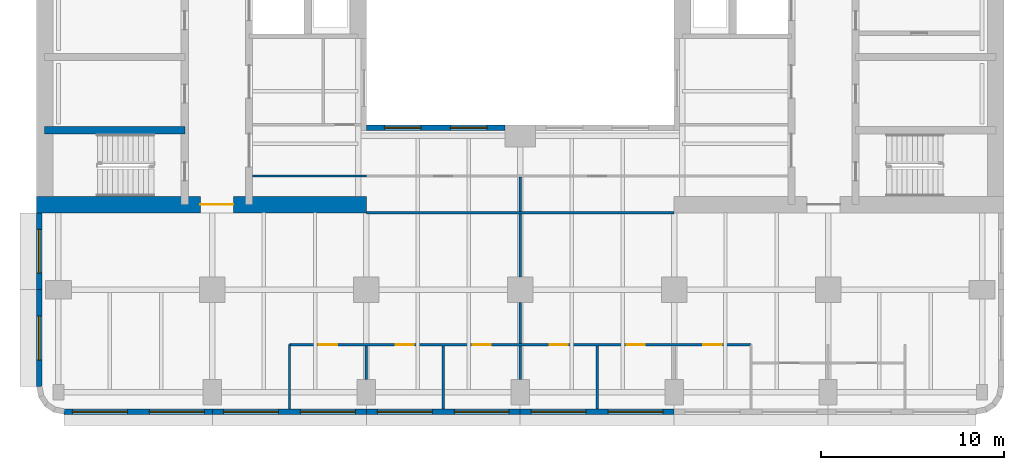
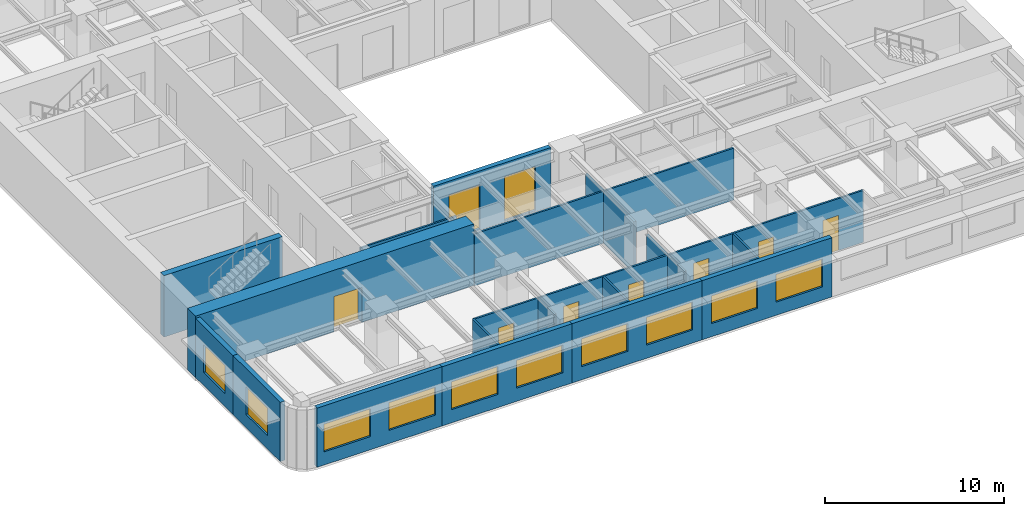
# One storey, part 3 of 11: 20 walls, 12 windows, 7 doors, 19 openings.
"""IFC4 building model written with IfcOpenShell, lengths in metres."""

from ifc_helpers import new_model, si_unit, direction, frame, frame_2d, origin, place, context, subcontext, project, spatial, rectangle, extrude, material, layer, layer_set, type_object, element, fill, save


model = new_model("IFC4")

# Units and contexts
model_context = context("Model", 3, precision=1e-05, world=origin(), true_north=direction((0.0, 1.0)))
body_context = subcontext(model_context, "Body", "Model", "MODEL_VIEW")
ifc_project = project(units=[si_unit("LENGTHUNIT", "METRE"), si_unit("AREAUNIT", "SQUARE_METRE"), si_unit("VOLUMEUNIT", "CUBIC_METRE"), si_unit("PLANEANGLEUNIT", "RADIAN"), si_unit("MASSUNIT", "GRAM", prefix="KILO")], contexts=[model_context])

# Site, building, storey
site_placement = place(None, origin())
site = spatial("IfcSite", under=ifc_project, at=site_placement, CompositionType="ELEMENT")
building_placement = place(site_placement, origin())
building = spatial("IfcBuilding", under=site, at=building_placement, Name="Claustro Exchange Tower", CompositionType="ELEMENT")
storey_placement = place(building_placement, frame((0.0, 0.0, 134.39990234375)))
storey = spatial("IfcBuildingStorey", under=building, at=storey_placement, Name="L30", CompositionType="ELEMENT", Elevation=134.39990234375)

# Wall, openings, doors
ifc_material_1 = material(Name="Laminated glass in aluminium frame", Category="aluminium")
ifc_layer_1 = layer(ifc_material_1, 0.1201171875)
ifc_layer_set_1 = layer_set([ifc_layer_1], Name="Laminated glass in aluminium frame")
wall_type_1 = type_object("IfcWallType", Name="P2 120 glazed partition", PredefinedType="PARTITIONING", material=ifc_layer_set_1)
wall_1_placement = place(storey_placement, frame((12.60009765625, 5.39990234375, 0.0), z_axis=(0.0, 0.0, 1.0), x_axis=(1.0, 0.0, 0.0)))
wall_1 = element("IfcWall", 1, at=wall_1_placement, inside=storey, type_object=wall_type_1, Name="Partition P2 L30", PredefinedType="PARTITIONING", context=body_context, shape_type="SweptSolid", body=[
    extrude(rectangle(XDim=25.199951171875, YDim=0.1201171875, at=frame_2d((12.60009765625, 0.0))), origin(), (0.0, 0.0, 1.0), 3.550048828125),
])
opening_1_placement = place(wall_1_placement, frame((1.60009765625, 0.0, 0.0)))
opening_1 = element("IfcOpeningElement", 2, at=opening_1_placement, cuts=wall_1, Name="Opening D7", PredefinedType="OPENING", context=body_context, shape_type="SweptSolid", body=[
    extrude(rectangle(XDim=1.0, YDim=2.39990234375, at=frame_2d((0.5, 1.199951171875))), frame((0.0, 0.070068359375, 0.0), z_axis=(0.0, -1.0, 0.0), x_axis=(1.0, 0.0, 0.0)), (0.0, 0.0, 1.0), 0.14013671875),
])
opening_2_placement = place(wall_1_placement, frame((5.800048828125, 0.0, 0.0)))
opening_2 = element("IfcOpeningElement", 3, at=opening_2_placement, cuts=wall_1, Name="Opening D7", PredefinedType="OPENING", context=body_context, shape_type="SweptSolid", body=[
    extrude(rectangle(XDim=1.0, YDim=2.39990234375, at=frame_2d((0.5, 1.199951171875))), frame((0.0, 0.070068359375, 0.0), z_axis=(0.0, -1.0, 0.0), x_axis=(1.0, 0.0, 0.0)), (0.0, 0.0, 1.0), 0.14013671875),
])
opening_3_placement = place(wall_1_placement, frame((10.0, 0.0, 0.0)))
opening_3 = element("IfcOpeningElement", 4, at=opening_3_placement, cuts=wall_1, Name="Opening D7", PredefinedType="OPENING", context=body_context, shape_type="SweptSolid", body=[
    extrude(rectangle(XDim=1.0, YDim=2.39990234375, at=frame_2d((0.5, 1.199951171875))), frame((0.0, 0.070068359375, 0.0), z_axis=(0.0, -1.0, 0.0), x_axis=(1.0, 0.0, 0.0)), (0.0, 0.0, 1.0), 0.14013671875),
])
opening_4_placement = place(wall_1_placement, frame((14.199951171875, 0.0, 0.0)))
opening_4 = element("IfcOpeningElement", 5, at=opening_4_placement, cuts=wall_1, Name="Opening D7", PredefinedType="OPENING", context=body_context, shape_type="SweptSolid", body=[
    extrude(rectangle(XDim=1.0, YDim=2.39990234375, at=frame_2d((0.5, 1.199951171875))), frame((0.0, 0.070068359375, 0.0), z_axis=(0.0, -1.0, 0.0), x_axis=(1.0, 0.0, 0.0)), (0.0, 0.0, 1.0), 0.14013671875),
])
opening_5_placement = place(wall_1_placement, frame((18.39990234375, 0.0, 0.0)))
opening_5 = element("IfcOpeningElement", 6, at=opening_5_placement, cuts=wall_1, Name="Opening D7", PredefinedType="OPENING", context=body_context, shape_type="SweptSolid", body=[
    extrude(rectangle(XDim=1.0, YDim=2.39990234375, at=frame_2d((0.5, 1.199951171875))), frame((0.0, 0.070068359375, 0.0), z_axis=(0.0, -1.0, 0.0), x_axis=(1.0, 0.0, 0.0)), (0.0, 0.0, 1.0), 0.14013671875),
])
opening_6_placement = place(wall_1_placement, frame((22.60009765625, 0.0, 0.0)))
opening_6 = element("IfcOpeningElement", 7, at=opening_6_placement, cuts=wall_1, Name="Opening D7", PredefinedType="OPENING", context=body_context, shape_type="SweptSolid", body=[
    extrude(rectangle(XDim=1.0, YDim=2.39990234375, at=frame_2d((0.5, 1.199951171875))), frame((0.0, 0.070068359375, 0.0), z_axis=(0.0, -1.0, 0.0), x_axis=(1.0, 0.0, 0.0)), (0.0, 0.0, 1.0), 0.14013671875),
])
ifc_material_2 = material(Name="Glass door in aluminium frame", Category="aluminium")
door_type_1 = type_object("IfcDoorType", Name="D7 1000 x 2400 glazed door", OperationType="SINGLE_SWING_LEFT", PredefinedType="DOOR", material=ifc_material_2)
door_1_placement = place(opening_1_placement, frame((1.0, 0.0, 0.0), z_axis=(0.0, 0.0, 1.0), x_axis=(-1.0, 0.0, 0.0)))
door_1 = element("IfcDoor", 8, at=door_1_placement, inside=storey, type_object=door_type_1, Name="Door D7 L30", OperationType="SINGLE_SWING_RIGHT", OverallHeight=2.39990234375, OverallWidth=1.0, PredefinedType="DOOR", context=body_context, shape_type="SweptSolid", body=[
    extrude(rectangle(XDim=1.0, YDim=2.39990234375, at=frame_2d((0.5, 1.199951171875))), frame((0.0, 0.02490234375, 0.0), z_axis=(0.0, -1.0, 0.0), x_axis=(1.0, 0.0, 0.0)), (0.0, 0.0, 1.0), 0.050048828125),
])
fill(opening_1, door_1)
door_2_placement = place(opening_2_placement, frame((1.0, 0.0, 0.0), z_axis=(0.0, 0.0, 1.0), x_axis=(-1.0, 0.0, 0.0)))
door_2 = element("IfcDoor", 9, at=door_2_placement, inside=storey, type_object=door_type_1, Name="Door D7 L30", OperationType="SINGLE_SWING_RIGHT", OverallHeight=2.39990234375, OverallWidth=1.0, PredefinedType="DOOR", context=body_context, shape_type="SweptSolid", body=[
    extrude(rectangle(XDim=1.0, YDim=2.39990234375, at=frame_2d((0.5, 1.199951171875))), frame((0.0, 0.02490234375, 0.0), z_axis=(0.0, -1.0, 0.0), x_axis=(1.0, 0.0, 0.0)), (0.0, 0.0, 1.0), 0.050048828125),
])
fill(opening_2, door_2)
door_3_placement = place(opening_3_placement, frame((1.0, 0.0, 0.0), z_axis=(0.0, 0.0, 1.0), x_axis=(-1.0, 0.0, 0.0)))
door_3 = element("IfcDoor", 10, at=door_3_placement, inside=storey, type_object=door_type_1, Name="Door D7 L30", OperationType="SINGLE_SWING_RIGHT", OverallHeight=2.39990234375, OverallWidth=1.0, PredefinedType="DOOR", context=body_context, shape_type="SweptSolid", body=[
    extrude(rectangle(XDim=1.0, YDim=2.39990234375, at=frame_2d((0.5, 1.199951171875))), frame((0.0, 0.02490234375, 0.0), z_axis=(0.0, -1.0, 0.0), x_axis=(1.0, 0.0, 0.0)), (0.0, 0.0, 1.0), 0.050048828125),
])
fill(opening_3, door_3)
door_4_placement = place(opening_4_placement, frame((1.0, 0.0, 0.0), z_axis=(0.0, 0.0, 1.0), x_axis=(-1.0, 0.0, 0.0)))
door_4 = element("IfcDoor", 11, at=door_4_placement, inside=storey, type_object=door_type_1, Name="Door D7 L30", OperationType="SINGLE_SWING_LEFT", OverallHeight=2.39990234375, OverallWidth=1.0, PredefinedType="DOOR", context=body_context, shape_type="SweptSolid", body=[
    extrude(rectangle(XDim=1.0, YDim=2.39990234375, at=frame_2d((0.5, 1.199951171875))), frame((0.0, 0.02490234375, 0.0), z_axis=(0.0, -1.0, 0.0), x_axis=(1.0, 0.0, 0.0)), (0.0, 0.0, 1.0), 0.050048828125),
])
fill(opening_4, door_4)
door_5_placement = place(opening_5_placement, frame((1.0, 0.0, 0.0), z_axis=(0.0, 0.0, 1.0), x_axis=(-1.0, 0.0, 0.0)))
door_5 = element("IfcDoor", 12, at=door_5_placement, inside=storey, type_object=door_type_1, Name="Door D7 L30", OperationType="SINGLE_SWING_RIGHT", OverallHeight=2.39990234375, OverallWidth=1.0, PredefinedType="DOOR", context=body_context, shape_type="SweptSolid", body=[
    extrude(rectangle(XDim=1.0, YDim=2.39990234375, at=frame_2d((0.5, 1.199951171875))), frame((0.0, 0.02490234375, 0.0), z_axis=(0.0, -1.0, 0.0), x_axis=(1.0, 0.0, 0.0)), (0.0, 0.0, 1.0), 0.050048828125),
])
fill(opening_5, door_5)
door_6_placement = place(opening_6_placement, frame((1.0, 0.0, 0.0), z_axis=(0.0, 0.0, 1.0), x_axis=(-1.0, 0.0, 0.0)))
door_6 = element("IfcDoor", 13, at=door_6_placement, inside=storey, type_object=door_type_1, Name="Door D7 L30", OperationType="SINGLE_SWING_LEFT", OverallHeight=2.39990234375, OverallWidth=1.0, PredefinedType="DOOR", context=body_context, shape_type="SweptSolid", body=[
    extrude(rectangle(XDim=1.0, YDim=2.39990234375, at=frame_2d((0.5, 1.199951171875))), frame((0.0, 0.02490234375, 0.0), z_axis=(0.0, -1.0, 0.0), x_axis=(1.0, 0.0, 0.0)), (0.0, 0.0, 1.0), 0.050048828125),
])
fill(opening_6, door_6)

# Walls
wall_2_placement = place(storey_placement, frame((12.60009765625, 1.89794921875, 0.0), z_axis=(0.0, 0.0, 1.0), x_axis=(0.0, 1.0, 0.0)))
element("IfcWall", 14, at=wall_2_placement, inside=storey, type_object=wall_type_1, Name="Partition P2 L30", PredefinedType="PARTITIONING", context=body_context, shape_type="SweptSolid", body=[
    extrude(rectangle(XDim=3.501953125, YDim=0.1201171875, at=frame_2d((1.7509765625, 0.0))), origin(), (0.0, 0.0, 1.0), 3.56005859375),
])
wall_3_placement = place(storey_placement, frame((16.800048828125, 3.4990234375, 0.0), z_axis=(0.0, 0.0, 1.0), x_axis=(0.0, 1.0, 0.0)))
element("IfcWall", 15, at=wall_3_placement, inside=storey, type_object=wall_type_1, Name="Partition P2 L30", PredefinedType="PARTITIONING", context=body_context, shape_type="SweptSolid", body=[
    extrude(rectangle(XDim=1.843017578125, YDim=0.1201171875, at=frame_2d((0.92138671875, 0.0))), origin(), (0.0, 0.0, 1.0), 3.550048828125),
])
wall_4_placement = place(storey_placement, frame((21.0, 1.89794921875, 0.0), z_axis=(0.0, 0.0, 1.0), x_axis=(0.0, 1.0, 0.0)))
element("IfcWall", 16, at=wall_4_placement, inside=storey, type_object=wall_type_1, Name="Partition P2 L30", PredefinedType="PARTITIONING", context=body_context, shape_type="SweptSolid", body=[
    extrude(rectangle(XDim=3.444091796875, YDim=0.1201171875, at=frame_2d((1.72216796875, 0.0))), origin(), (0.0, 0.0, 1.0), 3.56005859375),
])
wall_5_placement = place(storey_placement, frame((25.199951171875, 3.4990234375, 0.0), z_axis=(0.0, 0.0, 1.0), x_axis=(0.0, 1.0, 0.0)))
element("IfcWall", 17, at=wall_5_placement, inside=storey, type_object=wall_type_1, Name="Partition P2 L30", PredefinedType="PARTITIONING", context=body_context, shape_type="SweptSolid", body=[
    extrude(rectangle(XDim=1.843017578125, YDim=0.1201171875, at=frame_2d((0.92138671875, 0.0))), origin(), (0.0, 0.0, 1.0), 3.550048828125),
])
wall_6_placement = place(storey_placement, frame((29.39990234375, 1.89794921875, 0.0), z_axis=(0.0, 0.0, 1.0), x_axis=(0.0, 1.0, 0.0)))
element("IfcWall", 18, at=wall_6_placement, inside=storey, type_object=wall_type_1, Name="Partition P2 L30", PredefinedType="PARTITIONING", context=body_context, shape_type="SweptSolid", body=[
    extrude(rectangle(XDim=3.444091796875, YDim=0.1201171875, at=frame_2d((1.72216796875, 0.0))), origin(), (0.0, 0.0, 1.0), 3.56005859375),
])
wall_7_placement = place(storey_placement, frame((25.199951171875, 5.4580078125, 0.0), z_axis=(0.0, 0.0, 1.0), x_axis=(0.0, 1.0, 0.0)))
element("IfcWall", 19, at=wall_7_placement, inside=storey, type_object=wall_type_1, Name="Partition P2 L30", PredefinedType="PARTITIONING", context=body_context, shape_type="SweptSolid", body=[
    extrude(rectangle(XDim=2.242919921875, YDim=0.1201171875, at=frame_2d((1.12158203125, 0.0))), origin(), (0.0, 0.0, 1.0), 3.550048828125),
])
wall_8_placement = place(storey_placement, frame((25.199951171875, 9.09912109375, 0.0), z_axis=(0.0, 0.0, 1.0), x_axis=(0.0, 1.0, 0.0)))
element("IfcWall", 20, at=wall_8_placement, inside=storey, type_object=wall_type_1, Name="Partition P2 L30", PredefinedType="PARTITIONING", context=body_context, shape_type="SweptSolid", body=[
    extrude(rectangle(XDim=3.44287109375, YDim=0.1201171875, at=frame_2d((1.721435546875, 0.0))), origin(), (0.0, 0.0, 1.0), 3.550048828125),
])
wall_9_placement = place(storey_placement, frame((10.597900390625, 14.60009765625, 0.0), z_axis=(0.0, 0.0, 1.0), x_axis=(1.0, 0.0, 0.0)))
element("IfcWall", 21, at=wall_9_placement, inside=storey, type_object=wall_type_1, Name="Partition P2 L30", PredefinedType="PARTITIONING", context=body_context, shape_type="SweptSolid", body=[
    extrude(rectangle(XDim=6.2041015625, YDim=0.1201171875, at=frame_2d((3.10205078125, 0.0))), origin(), (0.0, 0.0, 1.0), 3.550048828125),
])
wall_10_placement = place(storey_placement, frame((25.199951171875, 12.657958984375, 0.0), z_axis=(0.0, 0.0, 1.0), x_axis=(0.0, 1.0, 0.0)))
element("IfcWall", 22, at=wall_10_placement, inside=storey, type_object=wall_type_1, Name="Partition P2 L30", PredefinedType="PARTITIONING", context=body_context, shape_type="SweptSolid", body=[
    extrude(rectangle(XDim=1.884033203125, YDim=0.1201171875, at=frame_2d((0.94189453125, 0.0))), origin(), (0.0, 0.0, 1.0), 3.550048828125),
])
wall_11_placement = place(storey_placement, frame((16.800048828125, 12.60009765625, 0.0), z_axis=(0.0, 0.0, 1.0), x_axis=(1.0, 0.0, 0.0)))
element("IfcWall", 23, at=wall_11_placement, inside=storey, type_object=wall_type_1, Name="Partition P2 L30", PredefinedType="PARTITIONING", context=body_context, shape_type="SweptSolid", body=[
    extrude(rectangle(XDim=16.800048828125, YDim=0.1201171875, at=frame_2d((8.39990234375, 0.0))), origin(), (0.0, 0.0, 1.0), 3.550048828125),
])

# Wall, openings, windows
ifc_material_3 = material(Name="Concrete HA-40 (C40/50), precast, white cement, acid-etched", Category="concrete")
ifc_layer_2 = layer(ifc_material_3, 0.300048828125)
ifc_layer_set_2 = layer_set([ifc_layer_2], Name="Concrete HA-40 (C40/50), precast, white cement, acid-etched")
wall_type_2 = type_object("IfcWallType", Name="PC1 300 precast concrete pier panel", PredefinedType="SOLIDWALL", material=ifc_layer_set_2)
wall_12_placement = place(storey_placement, frame((33.60009765625, 1.75, 0.0), z_axis=(0.0, 0.0, 1.0), x_axis=(-1.0, 0.0, 0.0)))
wall_12 = element("IfcWall", 24, at=wall_12_placement, inside=storey, type_object=wall_type_2, Name="Precast pier panel PC1 L30", PredefinedType="SOLIDWALL", context=body_context, shape_type="SweptSolid", body=[
    extrude(rectangle(XDim=8.400146484375, YDim=0.300048828125, at=frame_2d((4.2001953125, 0.0))), origin(), (0.0, 0.0, 1.0), 4.050048828125),
])
opening_7_placement = place(wall_12_placement, frame((0.60009765625, 0.0, 0.89990234375)))
opening_7 = element("IfcOpeningElement", 25, at=opening_7_placement, cuts=wall_12, Name="Opening W1", PredefinedType="OPENING", context=body_context, shape_type="SweptSolid", body=[
    extrude(rectangle(XDim=3.0, YDim=1.89990234375, at=frame_2d((1.5, 0.949951171875))), frame((0.0, 0.159912109375, 0.0), z_axis=(0.0, -1.0, 0.0), x_axis=(1.0, 0.0, 0.0)), (0.0, 0.0, 1.0), 0.320068359375),
])
opening_8_placement = place(wall_12_placement, frame((4.800048828125, 0.0, 0.89990234375)))
opening_8 = element("IfcOpeningElement", 26, at=opening_8_placement, cuts=wall_12, Name="Opening W1", PredefinedType="OPENING", context=body_context, shape_type="SweptSolid", body=[
    extrude(rectangle(XDim=3.0, YDim=1.89990234375, at=frame_2d((1.5, 0.949951171875))), frame((0.0, 0.159912109375, 0.0), z_axis=(0.0, -1.0, 0.0), x_axis=(1.0, 0.0, 0.0)), (0.0, 0.0, 1.0), 0.320068359375),
])
ifc_material_4 = material(Name="Aluminium frame, clear double glazing", Category="aluminium")
window_type_1 = type_object("IfcWindowType", Name="W1 3000 x 1900 window", PartitioningType="SINGLE_PANEL", PredefinedType="WINDOW", material=ifc_material_4)
window_1_placement = place(opening_7_placement, origin())
window_1 = element("IfcWindow", 27, at=window_1_placement, inside=storey, type_object=window_type_1, Name="Window W1 L30", OverallHeight=1.89990234375, OverallWidth=3.0, PartitioningType="SINGLE_PANEL", PredefinedType="WINDOW", context=body_context, shape_type="SweptSolid", body=[
    extrude(rectangle(XDim=3.0, YDim=1.89990234375, at=frame_2d((1.5, 0.949951171875))), frame((0.0, 0.030029296875, 0.0), z_axis=(0.0, -1.0, 0.0), x_axis=(1.0, 0.0, 0.0)), (0.0, 0.0, 1.0), 0.06005859375),
])
fill(opening_7, window_1)
window_2_placement = place(opening_8_placement, origin())
window_2 = element("IfcWindow", 28, at=window_2_placement, inside=storey, type_object=window_type_1, Name="Window W1 L30", OverallHeight=1.89990234375, OverallWidth=3.0, PartitioningType="SINGLE_PANEL", PredefinedType="WINDOW", context=body_context, shape_type="SweptSolid", body=[
    extrude(rectangle(XDim=3.0, YDim=1.89990234375, at=frame_2d((1.5, 0.949951171875))), frame((0.0, 0.030029296875, 0.0), z_axis=(0.0, -1.0, 0.0), x_axis=(1.0, 0.0, 0.0)), (0.0, 0.0, 1.0), 0.06005859375),
])
fill(opening_8, window_2)

wall_13_placement = place(storey_placement, frame((25.199951171875, 1.75, 0.0), z_axis=(0.0, 0.0, 1.0), x_axis=(-1.0, 0.0, 0.0)))
wall_13 = element("IfcWall", 29, at=wall_13_placement, inside=storey, type_object=wall_type_2, Name="Precast pier panel PC1 L30", PredefinedType="SOLIDWALL", context=body_context, shape_type="SweptSolid", body=[
    extrude(rectangle(XDim=8.39990234375, YDim=0.300048828125, at=frame_2d((4.199951171875, 0.0))), origin(), (0.0, 0.0, 1.0), 4.050048828125),
])
opening_9_placement = place(wall_13_placement, frame((0.60009765625, 0.0, 0.89990234375)))
opening_9 = element("IfcOpeningElement", 30, at=opening_9_placement, cuts=wall_13, Name="Opening W1", PredefinedType="OPENING", context=body_context, shape_type="SweptSolid", body=[
    extrude(rectangle(XDim=3.0, YDim=1.89990234375, at=frame_2d((1.5, 0.949951171875))), frame((0.0, 0.159912109375, 0.0), z_axis=(0.0, -1.0, 0.0), x_axis=(1.0, 0.0, 0.0)), (0.0, 0.0, 1.0), 0.320068359375),
])
opening_10_placement = place(wall_13_placement, frame((4.800048828125, 0.0, 0.89990234375)))
opening_10 = element("IfcOpeningElement", 31, at=opening_10_placement, cuts=wall_13, Name="Opening W1", PredefinedType="OPENING", context=body_context, shape_type="SweptSolid", body=[
    extrude(rectangle(XDim=3.0, YDim=1.89990234375, at=frame_2d((1.5, 0.949951171875))), frame((0.0, 0.159912109375, 0.0), z_axis=(0.0, -1.0, 0.0), x_axis=(1.0, 0.0, 0.0)), (0.0, 0.0, 1.0), 0.320068359375),
])
window_3_placement = place(opening_9_placement, origin())
window_3 = element("IfcWindow", 32, at=window_3_placement, inside=storey, type_object=window_type_1, Name="Window W1 L30", OverallHeight=1.89990234375, OverallWidth=3.0, PartitioningType="SINGLE_PANEL", PredefinedType="WINDOW", context=body_context, shape_type="SweptSolid", body=[
    extrude(rectangle(XDim=3.0, YDim=1.89990234375, at=frame_2d((1.5, 0.949951171875))), frame((0.0, 0.030029296875, 0.0), z_axis=(0.0, -1.0, 0.0), x_axis=(1.0, 0.0, 0.0)), (0.0, 0.0, 1.0), 0.06005859375),
])
fill(opening_9, window_3)
window_4_placement = place(opening_10_placement, origin())
window_4 = element("IfcWindow", 33, at=window_4_placement, inside=storey, type_object=window_type_1, Name="Window W1 L30", OverallHeight=1.89990234375, OverallWidth=3.0, PartitioningType="SINGLE_PANEL", PredefinedType="WINDOW", context=body_context, shape_type="SweptSolid", body=[
    extrude(rectangle(XDim=3.0, YDim=1.89990234375, at=frame_2d((1.5, 0.949951171875))), frame((0.0, 0.030029296875, 0.0), z_axis=(0.0, -1.0, 0.0), x_axis=(1.0, 0.0, 0.0)), (0.0, 0.0, 1.0), 0.06005859375),
])
fill(opening_10, window_4)

wall_14_placement = place(storey_placement, frame((16.800048828125, 1.75, 0.0), z_axis=(0.0, 0.0, 1.0), x_axis=(-1.0, 0.0, 0.0)))
wall_14 = element("IfcWall", 34, at=wall_14_placement, inside=storey, type_object=wall_type_2, Name="Precast pier panel PC1 L30", PredefinedType="SOLIDWALL", context=body_context, shape_type="SweptSolid", body=[
    extrude(rectangle(XDim=8.400146484375, YDim=0.300048828125, at=frame_2d((4.2001953125, 0.0))), origin(), (0.0, 0.0, 1.0), 4.050048828125),
])
opening_11_placement = place(wall_14_placement, frame((0.60009765625, 0.0, 0.89990234375)))
opening_11 = element("IfcOpeningElement", 35, at=opening_11_placement, cuts=wall_14, Name="Opening W1", PredefinedType="OPENING", context=body_context, shape_type="SweptSolid", body=[
    extrude(rectangle(XDim=3.0, YDim=1.89990234375, at=frame_2d((1.5, 0.949951171875))), frame((0.0, 0.159912109375, 0.0), z_axis=(0.0, -1.0, 0.0), x_axis=(1.0, 0.0, 0.0)), (0.0, 0.0, 1.0), 0.320068359375),
])
opening_12_placement = place(wall_14_placement, frame((4.800048828125, 0.0, 0.89990234375)))
opening_12 = element("IfcOpeningElement", 36, at=opening_12_placement, cuts=wall_14, Name="Opening W1", PredefinedType="OPENING", context=body_context, shape_type="SweptSolid", body=[
    extrude(rectangle(XDim=3.0, YDim=1.89990234375, at=frame_2d((1.5, 0.949951171875))), frame((0.0, 0.159912109375, 0.0), z_axis=(0.0, -1.0, 0.0), x_axis=(1.0, 0.0, 0.0)), (0.0, 0.0, 1.0), 0.320068359375),
])
window_5_placement = place(opening_11_placement, origin())
window_5 = element("IfcWindow", 37, at=window_5_placement, inside=storey, type_object=window_type_1, Name="Window W1 L30", OverallHeight=1.89990234375, OverallWidth=3.0, PartitioningType="SINGLE_PANEL", PredefinedType="WINDOW", context=body_context, shape_type="SweptSolid", body=[
    extrude(rectangle(XDim=3.0, YDim=1.89990234375, at=frame_2d((1.5, 0.949951171875))), frame((0.0, 0.030029296875, 0.0), z_axis=(0.0, -1.0, 0.0), x_axis=(1.0, 0.0, 0.0)), (0.0, 0.0, 1.0), 0.06005859375),
])
fill(opening_11, window_5)
window_6_placement = place(opening_12_placement, origin())
window_6 = element("IfcWindow", 38, at=window_6_placement, inside=storey, type_object=window_type_1, Name="Window W1 L30", OverallHeight=1.89990234375, OverallWidth=3.0, PartitioningType="SINGLE_PANEL", PredefinedType="WINDOW", context=body_context, shape_type="SweptSolid", body=[
    extrude(rectangle(XDim=3.0, YDim=1.89990234375, at=frame_2d((1.5, 0.949951171875))), frame((0.0, 0.030029296875, 0.0), z_axis=(0.0, -1.0, 0.0), x_axis=(1.0, 0.0, 0.0)), (0.0, 0.0, 1.0), 0.06005859375),
])
fill(opening_12, window_6)

wall_15_placement = place(storey_placement, frame((8.39990234375, 1.75, 0.0), z_axis=(0.0, 0.0, 1.0), x_axis=(-1.0, 0.0, 0.0)))
wall_15 = element("IfcWall", 39, at=wall_15_placement, inside=storey, type_object=wall_type_2, Name="Precast pier panel PC1 L30", PredefinedType="SOLIDWALL", context=body_context, shape_type="SweptSolid", body=[
    extrude(rectangle(XDim=8.085205078125, YDim=0.300048828125, at=frame_2d((4.04248046875, 0.0))), origin(), (0.0, 0.0, 1.0), 4.050048828125),
])
opening_13_placement = place(wall_15_placement, frame((0.442626953125, 0.0, 0.89990234375)))
opening_13 = element("IfcOpeningElement", 40, at=opening_13_placement, cuts=wall_15, Name="Opening W1", PredefinedType="OPENING", context=body_context, shape_type="SweptSolid", body=[
    extrude(rectangle(XDim=3.0, YDim=1.89990234375, at=frame_2d((1.5, 0.949951171875))), frame((0.0, 0.159912109375, 0.0), z_axis=(0.0, -1.0, 0.0), x_axis=(1.0, 0.0, 0.0)), (0.0, 0.0, 1.0), 0.320068359375),
])
opening_14_placement = place(wall_15_placement, frame((4.642578125, 0.0, 0.89990234375)))
opening_14 = element("IfcOpeningElement", 41, at=opening_14_placement, cuts=wall_15, Name="Opening W1", PredefinedType="OPENING", context=body_context, shape_type="SweptSolid", body=[
    extrude(rectangle(XDim=3.0, YDim=1.89990234375, at=frame_2d((1.5, 0.949951171875))), frame((0.0, 0.159912109375, 0.0), z_axis=(0.0, -1.0, 0.0), x_axis=(1.0, 0.0, 0.0)), (0.0, 0.0, 1.0), 0.320068359375),
])
window_7_placement = place(opening_13_placement, origin())
window_7 = element("IfcWindow", 42, at=window_7_placement, inside=storey, type_object=window_type_1, Name="Window W1 L30", OverallHeight=1.89990234375, OverallWidth=3.0, PartitioningType="SINGLE_PANEL", PredefinedType="WINDOW", context=body_context, shape_type="SweptSolid", body=[
    extrude(rectangle(XDim=3.0, YDim=1.89990234375, at=frame_2d((1.5, 0.949951171875))), frame((0.0, 0.030029296875, 0.0), z_axis=(0.0, -1.0, 0.0), x_axis=(1.0, 0.0, 0.0)), (0.0, 0.0, 1.0), 0.06005859375),
])
fill(opening_13, window_7)
window_8_placement = place(opening_14_placement, origin())
window_8 = element("IfcWindow", 43, at=window_8_placement, inside=storey, type_object=window_type_1, Name="Window W1 L30", OverallHeight=1.89990234375, OverallWidth=3.0, PartitioningType="SINGLE_PANEL", PredefinedType="WINDOW", context=body_context, shape_type="SweptSolid", body=[
    extrude(rectangle(XDim=3.0, YDim=1.89990234375, at=frame_2d((1.5, 0.949951171875))), frame((0.0, 0.030029296875, 0.0), z_axis=(0.0, -1.0, 0.0), x_axis=(1.0, 0.0, 0.0)), (0.0, 0.0, 1.0), 0.06005859375),
])
fill(opening_14, window_8)

# Wall, opening, window
wall_16_placement = place(storey_placement, frame((-1.050048828125, 3.11474609375, 0.0), z_axis=(0.0, 0.0, 1.0), x_axis=(0.0, 1.0, 0.0)))
wall_16 = element("IfcWall", 44, at=wall_16_placement, inside=storey, type_object=wall_type_2, Name="Precast pier panel PC1 L30", PredefinedType="SOLIDWALL", context=body_context, shape_type="SweptSolid", body=[
    extrude(rectangle(XDim=5.28515625, YDim=0.300048828125, at=frame_2d((2.642578125, 0.0))), origin(), (0.0, 0.0, 1.0), 4.050048828125),
])
opening_15_placement = place(wall_16_placement, frame((1.442626953125, 0.0, 0.89990234375)))
opening_15 = element("IfcOpeningElement", 45, at=opening_15_placement, cuts=wall_16, Name="Opening W2", PredefinedType="OPENING", context=body_context, shape_type="SweptSolid", body=[
    extrude(rectangle(XDim=2.39990234375, YDim=1.89990234375, at=frame_2d((1.199951171875, 0.949951171875))), frame((0.0, 0.159912109375, 0.0), z_axis=(0.0, -1.0, 0.0), x_axis=(1.0, 0.0, 0.0)), (0.0, 0.0, 1.0), 0.320068359375),
])
ifc_material_5 = material(Name="Aluminium frame, clear double glazing", Category="aluminium")
window_type_2 = type_object("IfcWindowType", Name="W2 2400 x 1900 window", PartitioningType="SINGLE_PANEL", PredefinedType="WINDOW", material=ifc_material_5)
window_9_placement = place(opening_15_placement, origin())
window_9 = element("IfcWindow", 46, at=window_9_placement, inside=storey, type_object=window_type_2, Name="Window W2 L30", OverallHeight=1.89990234375, OverallWidth=2.39990234375, PartitioningType="SINGLE_PANEL", PredefinedType="WINDOW", context=body_context, shape_type="SweptSolid", body=[
    extrude(rectangle(XDim=2.39990234375, YDim=1.89990234375, at=frame_2d((1.199951171875, 0.949951171875))), frame((0.0, 0.030029296875, 0.0), z_axis=(0.0, -1.0, 0.0), x_axis=(1.0, 0.0, 0.0)), (0.0, 0.0, 1.0), 0.06005859375),
])
fill(opening_15, window_9)

wall_17_placement = place(storey_placement, frame((-1.050048828125, 8.39990234375, 0.0), z_axis=(0.0, 0.0, 1.0), x_axis=(0.0, 1.0, 0.0)))
wall_17 = element("IfcWall", 47, at=wall_17_placement, inside=storey, type_object=wall_type_2, Name="Precast pier panel PC1 L30", PredefinedType="SOLIDWALL", context=body_context, shape_type="SweptSolid", body=[
    extrude(rectangle(XDim=4.2001953125, YDim=0.300048828125, at=frame_2d((2.10009765625, 0.0))), origin(), (0.0, 0.0, 1.0), 4.050048828125),
])
opening_16_placement = place(wall_17_placement, frame((0.89990234375, 0.0, 0.89990234375)))
opening_16 = element("IfcOpeningElement", 48, at=opening_16_placement, cuts=wall_17, Name="Opening W2", PredefinedType="OPENING", context=body_context, shape_type="SweptSolid", body=[
    extrude(rectangle(XDim=2.39990234375, YDim=1.89990234375, at=frame_2d((1.199951171875, 0.949951171875))), frame((0.0, 0.159912109375, 0.0), z_axis=(0.0, -1.0, 0.0), x_axis=(1.0, 0.0, 0.0)), (0.0, 0.0, 1.0), 0.320068359375),
])
window_10_placement = place(opening_16_placement, origin())
window_10 = element("IfcWindow", 49, at=window_10_placement, inside=storey, type_object=window_type_2, Name="Window W2 L30", OverallHeight=1.89990234375, OverallWidth=2.39990234375, PartitioningType="SINGLE_PANEL", PredefinedType="WINDOW", context=body_context, shape_type="SweptSolid", body=[
    extrude(rectangle(XDim=2.39990234375, YDim=1.89990234375, at=frame_2d((1.199951171875, 0.949951171875))), frame((0.0, 0.030029296875, 0.0), z_axis=(0.0, -1.0, 0.0), x_axis=(1.0, 0.0, 0.0)), (0.0, 0.0, 1.0), 0.06005859375),
])
fill(opening_16, window_10)

# Wall, openings, windows
wall_18_placement = place(storey_placement, frame((16.800048828125, 17.25, 0.0), z_axis=(0.0, 0.0, 1.0), x_axis=(1.0, 0.0, 0.0)))
wall_18 = element("IfcWall", 50, at=wall_18_placement, inside=storey, type_object=wall_type_2, Name="Precast pier panel PC1 L30", PredefinedType="SOLIDWALL", context=body_context, shape_type="SweptSolid", body=[
    extrude(rectangle(XDim=7.574951171875, YDim=0.300048828125, at=frame_2d((3.78759765625, 0.0))), origin(), (0.0, 0.0, 1.0), 4.050048828125),
])
opening_17_placement = place(wall_18_placement, frame((0.987548828125, 0.0, 0.10009765625)))
opening_17 = element("IfcOpeningElement", 51, at=opening_17_placement, cuts=wall_18, Name="Opening W-A", PredefinedType="OPENING", context=body_context, shape_type="SweptSolid", body=[
    extrude(rectangle(XDim=2.0, YDim=3.0, at=frame_2d((1.0, 1.5))), frame((0.0, 0.159912109375, 0.0), z_axis=(0.0, -1.0, 0.0), x_axis=(1.0, 0.0, 0.0)), (0.0, 0.0, 1.0), 0.320068359375),
])
opening_18_placement = place(wall_18_placement, frame((4.58740234375, 0.0, 0.10009765625)))
opening_18 = element("IfcOpeningElement", 52, at=opening_18_placement, cuts=wall_18, Name="Opening W-A", PredefinedType="OPENING", context=body_context, shape_type="SweptSolid", body=[
    extrude(rectangle(XDim=2.0, YDim=3.0, at=frame_2d((1.0, 1.5))), frame((0.0, 0.159912109375, 0.0), z_axis=(0.0, -1.0, 0.0), x_axis=(1.0, 0.0, 0.0)), (0.0, 0.0, 1.0), 0.320068359375),
])
ifc_material_6 = material(Name="Aluminium frame, clear double glazing", Category="aluminium")
window_type_3 = type_object("IfcWindowType", Name="W-A 2000 x 3000 arcade window", PartitioningType="SINGLE_PANEL", PredefinedType="WINDOW", material=ifc_material_6)
window_11_placement = place(opening_17_placement, origin())
window_11 = element("IfcWindow", 53, at=window_11_placement, inside=storey, type_object=window_type_3, Name="Window W-A L30", OverallHeight=3.0, OverallWidth=2.0, PartitioningType="SINGLE_PANEL", PredefinedType="WINDOW", context=body_context, shape_type="SweptSolid", body=[
    extrude(rectangle(XDim=2.0, YDim=3.0, at=frame_2d((1.0, 1.5))), frame((0.0, 0.030029296875, 0.0), z_axis=(0.0, -1.0, 0.0), x_axis=(1.0, 0.0, 0.0)), (0.0, 0.0, 1.0), 0.06005859375),
])
fill(opening_17, window_11)
window_12_placement = place(opening_18_placement, origin())
window_12 = element("IfcWindow", 54, at=window_12_placement, inside=storey, type_object=window_type_3, Name="Window W-A L30", OverallHeight=3.0, OverallWidth=2.0, PartitioningType="SINGLE_PANEL", PredefinedType="WINDOW", context=body_context, shape_type="SweptSolid", body=[
    extrude(rectangle(XDim=2.0, YDim=3.0, at=frame_2d((1.0, 1.5))), frame((0.0, 0.030029296875, 0.0), z_axis=(0.0, -1.0, 0.0), x_axis=(1.0, 0.0, 0.0)), (0.0, 0.0, 1.0), 0.06005859375),
])
fill(opening_18, window_12)

# Wall, opening, door
ifc_material_7 = material(Name="Concrete HA-70 (C70/85)", Category="concrete")
ifc_layer_3 = layer(ifc_material_7, 0.89990234375)
ifc_layer_set_3 = layer_set([ifc_layer_3], Name="Concrete HA-70 (C70/85)")
wall_type_3 = type_object("IfcWallType", Name="SW1 900 core shear wall", PredefinedType="SHEAR", material=ifc_layer_set_3)
wall_19_placement = place(storey_placement, frame((-1.199951171875, 13.050048828125, 0.0), z_axis=(0.0, 0.0, 1.0), x_axis=(1.0, 0.0, 0.0)))
wall_19 = element("IfcWall", 55, at=wall_19_placement, inside=storey, type_object=wall_type_3, Name="Core wall SW1 W core S face L30", PredefinedType="SHEAR", context=body_context, shape_type="SweptSolid", body=[
    extrude(rectangle(XDim=18.0, YDim=0.89990234375, at=frame_2d((9.0, 0.0))), origin(), (0.0, 0.0, 1.0), 4.2001953125),
])
opening_19_placement = place(wall_19_placement, frame((8.949951171875, 0.0, 0.0)))
opening_19 = element("IfcOpeningElement", 56, at=opening_19_placement, cuts=wall_19, Name="Opening D3", PredefinedType="OPENING", context=body_context, shape_type="SweptSolid", body=[
    extrude(rectangle(XDim=1.800048828125, YDim=2.39990234375, at=frame_2d((0.89990234375, 1.199951171875))), frame((0.0, 0.4599609375, 0.0), z_axis=(0.0, -1.0, 0.0), x_axis=(1.0, 0.0, 0.0)), (0.0, 0.0, 1.0), 0.919921875),
])
ifc_material_8 = material(Name="Steel fire door, painted", Category="steel")
door_type_2 = type_object("IfcDoorType", Name="D3 1800 x 2400 fire-rated lobby double door", OperationType="DOUBLE_DOOR_SINGLE_SWING", PredefinedType="DOOR", material=ifc_material_8)
door_7_placement = place(opening_19_placement, frame((1.800048828125, 0.0, 0.0), z_axis=(0.0, 0.0, 1.0), x_axis=(-1.0, 0.0, 0.0)))
door_7 = element("IfcDoor", 57, at=door_7_placement, inside=storey, type_object=door_type_2, Name="Lift lobby door D3 L30", OperationType="DOUBLE_DOOR_SINGLE_SWING", OverallHeight=2.39990234375, OverallWidth=1.800048828125, PredefinedType="DOOR", context=body_context, shape_type="SweptSolid", body=[
    extrude(rectangle(XDim=1.800048828125, YDim=2.39990234375, at=frame_2d((0.89990234375, 1.199951171875))), frame((0.0, 0.02490234375, 0.0), z_axis=(0.0, -1.0, 0.0), x_axis=(1.0, 0.0, 0.0)), (0.0, 0.0, 1.0), 0.050048828125),
])
fill(opening_19, door_7)

# Wall
ifc_material_9 = material(Name="Concrete HA-50 (C50/60)", Category="concrete")
ifc_layer_4 = layer(ifc_material_9, 0.39990234375)
ifc_layer_set_4 = layer_set([ifc_layer_4], Name="Concrete HA-50 (C50/60)")
wall_type_4 = type_object("IfcWallType", Name="SW4 400 internal core wall", PredefinedType="SHEAR", material=ifc_layer_set_4)
wall_20_placement = place(storey_placement, frame((-0.75, 17.10009765625, 0.0), z_axis=(0.0, 0.0, 1.0), x_axis=(1.0, 0.0, 0.0)))
element("IfcWall", 58, at=wall_20_placement, inside=storey, type_object=wall_type_4, Name="Internal core wall SW4 W core L30", PredefinedType="SHEAR", context=body_context, shape_type="SweptSolid", body=[
    extrude(rectangle(XDim=7.64990234375, YDim=0.39990234375, at=frame_2d((3.824951171875, 0.0))), origin(), (0.0, 0.0, 1.0), 4.2001953125),
])

save(model, "model.ifc")
